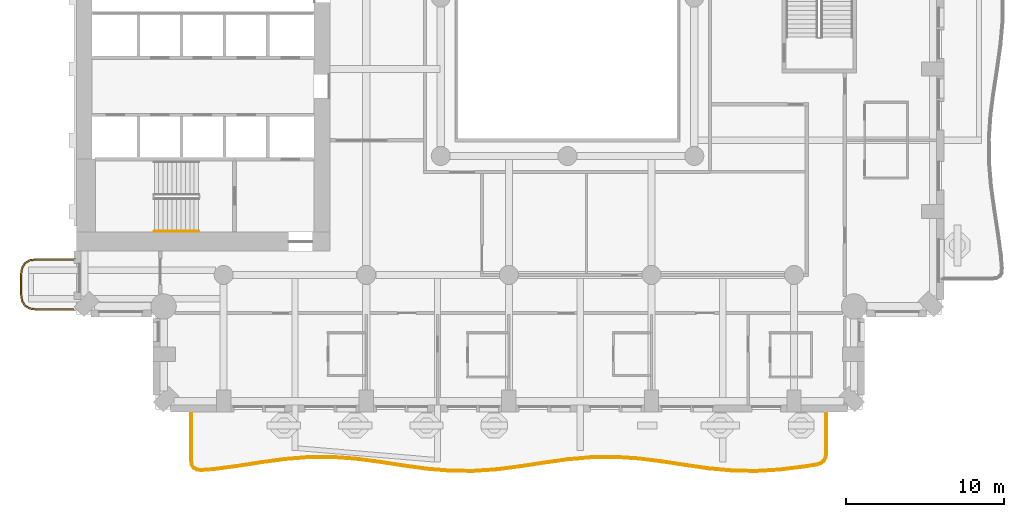
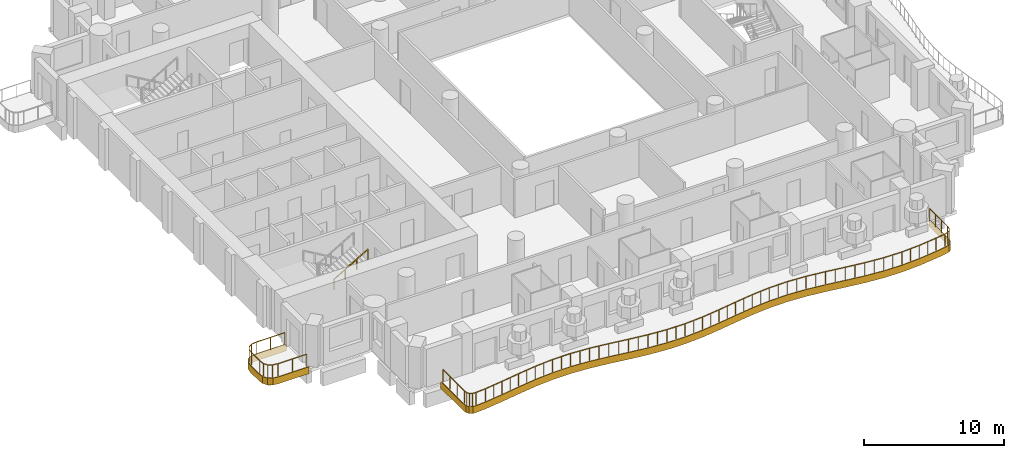
# One storey, part 12 of 19: 3 railings, 2 coverings.
"""IFC4 building model written with IfcOpenShell, lengths in metres."""

from ifc_helpers import new_model, si_unit, direction, frame, origin, origin_2d, place, context, subcontext, project, spatial, polyline, rectangle, outline, extrude, material, layer, layer_set, type_object, element, save


model = new_model("IFC4")

# Units and contexts
model_context = context("Model", 3, precision=1e-05, world=origin(), true_north=direction((0.0, 1.0)))
body_context = subcontext(model_context, "Body", "Model", "MODEL_VIEW")
ifc_project = project(units=[si_unit("LENGTHUNIT", "METRE"), si_unit("AREAUNIT", "SQUARE_METRE"), si_unit("VOLUMEUNIT", "CUBIC_METRE"), si_unit("PLANEANGLEUNIT", "RADIAN"), si_unit("MASSUNIT", "GRAM", prefix="KILO")], contexts=[model_context])

# Site, building, storey
site_placement = place(None, origin())
site = spatial("IfcSite", under=ifc_project, at=site_placement, CompositionType="ELEMENT")
building_placement = place(site_placement, origin())
building = spatial("IfcBuilding", under=site, at=building_placement, Name="Cypress Arch Tower", CompositionType="ELEMENT")
storey_placement = place(building_placement, frame((0.0, 0.0, 98.699951171875)))
storey = spatial("IfcBuildingStorey", under=building, at=storey_placement, Name="L19", CompositionType="ELEMENT", Elevation=98.699951171875)

# Coverings
ifc_material_1 = material(Name="White powder-coated aluminium fascia", Category="aluminium")
ifc_layer = layer(ifc_material_1, 0.050048828125)
ifc_layer_set = layer_set([ifc_layer], Name="Balcony fascia BF50")
covering_type = type_object("IfcCoveringType", Name="Balcony fascia BF50", PredefinedType="CLADDING", material=ifc_layer_set)
covering_1_placement = place(storey_placement, frame((0.0, 0.0, -0.599853515625)))
element("IfcCovering", 1, at=covering_1_placement, inside=storey, type_object=covering_type, Name="Balcony fascia L19-A00W1", PredefinedType="CLADDING", context=body_context, shape_type="SweptSolid", body=[
    extrude(outline(polyline([(-32.503662109375, -19.75), (-32.95458984375, -19.685546875), (-33.286376953125, -19.486328125), (-33.485595703125, -19.154541015625), (-33.550048828125, -18.70361328125), (-33.550048828125, -17.496337890625), (-33.485595703125, -17.04541015625), (-33.286376953125, -16.713623046875), (-32.95458984375, -16.514404296875), (-32.503662109375, -16.449951171875), (-30.0009765625, -16.449951171875), (-30.0009765625, -16.5), (-32.5, -16.5), (-32.9375, -16.5625), (-33.25, -16.75), (-33.4375, -17.0625), (-33.5, -17.5), (-33.5, -18.699951171875), (-33.4375, -19.137451171875), (-33.25, -19.449951171875), (-32.9375, -19.637451171875), (-32.5, -19.699951171875), (-30.0009765625, -19.699951171875), (-30.0009765625, -19.75), (-32.503662109375, -19.75)])), origin(), (0.0, 0.0, 1.0), 0.599853515625),
])
covering_2_placement = place(storey_placement, frame((0.0, 0.0, -0.599853515625)))
element("IfcCovering", 2, at=covering_2_placement, inside=storey, type_object=covering_type, Name="Balcony fascia L19-A03", PredefinedType="CLADDING", context=body_context, shape_type="SweptSolid", body=[
    extrude(outline(polyline([(17.39990234375, -28.722412109375), (17.3564453125, -29.037109375), (17.2216796875, -29.28515625), (16.9970703125, -29.4560546875), (16.692626953125, -29.546875), (15.87158203125, -29.67333984375), (14.38427734375, -29.8564453125), (12.8955078125, -29.94580078125), (11.406494140625, -29.917724609375), (9.918212890625, -29.77978515625), (8.431640625, -29.568115234375), (6.94677734375, -29.3388671875), (5.4638671875, -29.15185546875), (3.982177734375, -29.056396484375), (2.500732421875, -29.0771484375), (1.0185546875, -29.208984375), (-0.46484375, -29.4169921875), (-1.950439453125, -29.647216796875), (-3.437744140625, -29.838623046875), (-4.92626953125, -29.941162109375), (-6.415283203125, -29.92724609375), (-7.90380859375, -29.801025390625), (-9.390625, -29.595703125), (-10.875732421875, -29.365234375), (-12.35888671875, -29.170166015625), (-13.840576171875, -29.06201171875), (-15.322021484375, -29.068359375), (-16.803955078125, -29.188232421875), (-18.287353515625, -29.3896484375), (-19.7724609375, -29.620361328125), (-21.259521484375, -29.819580078125), (-22.081298828125, -29.883056640625), (-22.387939453125, -29.86279296875), (-22.6181640625, -29.7421875), (-22.756103515625, -29.52197265625), (-22.800048828125, -29.218017578125), (-22.800048828125, -26.0009765625), (-22.75, -26.0009765625), (-22.75, -29.21435546875), (-22.708251953125, -29.50439453125), (-22.5830078125, -29.7041015625), (-22.3740234375, -29.813720703125), (-22.081787109375, -29.8330078125), (-21.264892578125, -29.769775390625), (-19.779541015625, -29.571044921875), (-18.29443359375, -29.34033203125), (-16.809326171875, -29.138427734375), (-15.323974609375, -29.0185546875), (-13.8388671875, -29.011962890625), (-12.353759765625, -29.12060546875), (-10.868408203125, -29.315673828125), (-9.38330078125, -29.546142578125), (-7.898193359375, -29.751220703125), (-6.412841796875, -29.87744140625), (-4.927734375, -29.89111328125), (-3.442626953125, -29.788818359375), (-1.95751953125, -29.59765625), (-0.47216796875, -29.36767578125), (1.012939453125, -29.1591796875), (2.498046875, -29.02734375), (3.9833984375, -29.00634765625), (5.468505859375, -29.10205078125), (6.95361328125, -29.289306640625), (8.43896484375, -29.5185546875), (9.924072265625, -29.72998046875), (11.4091796875, -29.86767578125), (12.89453125, -29.895751953125), (14.379638671875, -29.806640625), (15.86474609375, -29.623779296875), (16.681640625, -29.498046875), (16.97412109375, -29.41064453125), (17.182861328125, -29.251708984375), (17.308349609375, -29.021240234375), (17.35009765625, -28.718994140625), (17.35009765625, -26.0009765625), (17.39990234375, -26.0009765625), (17.39990234375, -28.722412109375)])), origin(), (0.0, 0.0, 1.0), 0.599853515625),
])

# Railings
ifc_material_2 = material(Name="Powder-coated steel posts and rods, 100 mm clear between rods", Category="steel")
railing_type_1 = type_object("IfcRailingType", Name="Balcony guard GR1100", PredefinedType="GUARDRAIL", material=ifc_material_2)
railing_1_placement = place(storey_placement, frame((-30.14990234375, -19.64990234375, 0.0)))
element("IfcRailing", 3, at=railing_1_placement, inside=storey, type_object=railing_type_1, Name="Balcony guard L19-A00W1", PredefinedType="GUARDRAIL", context=body_context, shape_type="SweptSolid", body=[
    extrude(rectangle(XDim=0.050048828125, YDim=0.050048828125, at=origin_2d()), frame((0.0, 0.0, 1.0751953125), z_axis=(-1.0, 0.0, 0.0), x_axis=(0.0, -1.0, 0.0)), (0.0, 0.0, 1.0), 2.346435546875),
    extrude(rectangle(XDim=0.050048828125, YDim=0.050048828125, at=origin_2d()), frame((-2.346435546875, 0.0, 1.0751953125), z_axis=(-0.989960888959, 0.141341566184, 0.0), x_axis=(-0.141341566184, -0.989960888959, 0.0)), (0.0, 0.0, 1.0), 0.428466796875),
    extrude(rectangle(XDim=0.050048828125, YDim=0.050048828125, at=origin_2d()), frame((-2.7705078125, 0.060546875, 1.0751953125), z_axis=(-0.857681904839, 0.514180659021, 0.0), x_axis=(-0.514180659021, -0.857681904839, 0.0)), (0.0, 0.0, 1.0), 0.341796875),
    extrude(rectangle(XDim=0.050048828125, YDim=0.050048828125, at=origin_2d()), frame((-3.063720703125, 0.236328125, 1.0751953125), z_axis=(-0.514180659021, 0.857681904839, 0.0), x_axis=(-0.857681904839, -0.514180659021, 0.0)), (0.0, 0.0, 1.0), 0.341796875),
    extrude(rectangle(XDim=0.050048828125, YDim=0.050048828125, at=origin_2d()), frame((-3.239501953125, 0.529541015625, 1.0751953125), z_axis=(-0.141421356237, 0.989949493661, 0.0), x_axis=(-0.989949493661, -0.141421356237, 0.0)), (0.0, 0.0, 1.0), 0.42822265625),
    extrude(rectangle(XDim=0.050048828125, YDim=0.050048828125, at=origin_2d()), frame((-3.300048828125, 0.953369140625, 1.0751953125), z_axis=(0.0, 1.0, 0.0), x_axis=(-1.0, 0.0, 0.0)), (0.0, 0.0, 1.0), 1.19287109375),
    extrude(rectangle(XDim=0.050048828125, YDim=0.050048828125, at=origin_2d()), frame((-3.300048828125, 2.146240234375, 1.0751953125), z_axis=(0.141341566184, 0.989960888959, 0.0), x_axis=(-0.989960888959, 0.141341566184, 0.0)), (0.0, 0.0, 1.0), 0.428466796875),
    extrude(rectangle(XDim=0.050048828125, YDim=0.050048828125, at=origin_2d()), frame((-3.239501953125, 2.5703125, 1.0751953125), z_axis=(0.514180659021, 0.857681904839, 0.0), x_axis=(-0.857681904839, 0.514180659021, 0.0)), (0.0, 0.0, 1.0), 0.341796875),
    extrude(rectangle(XDim=0.050048828125, YDim=0.050048828125, at=origin_2d()), frame((-3.063720703125, 2.863525390625, 1.0751953125), z_axis=(0.857681904839, 0.514180659021, 0.0), x_axis=(-0.514180659021, 0.857681904839, 0.0)), (0.0, 0.0, 1.0), 0.341796875),
    extrude(rectangle(XDim=0.050048828125, YDim=0.050048828125, at=origin_2d()), frame((-2.7705078125, 3.039306640625, 1.0751953125), z_axis=(0.989960888959, 0.141341566184, 0.0), x_axis=(-0.141341566184, 0.989960888959, 0.0)), (0.0, 0.0, 1.0), 0.428466796875),
    extrude(rectangle(XDim=0.050048828125, YDim=0.050048828125, at=origin_2d()), frame((-2.346435546875, 3.099853515625, 1.0751953125), z_axis=(1.0, 0.0, 0.0), x_axis=(0.0, 1.0, 0.0)), (0.0, 0.0, 1.0), 2.346435546875),
    extrude(rectangle(XDim=0.0400390625, YDim=0.0400390625, at=origin_2d()), origin(), (0.0, 0.0, 1.0), 1.050048828125),
    extrude(rectangle(XDim=0.0400390625, YDim=0.0400390625, at=origin_2d()), frame((-1.17333984375, 0.0, 0.0)), (0.0, 0.0, 1.0), 1.050048828125),
    extrude(rectangle(XDim=0.0400390625, YDim=0.0400390625, at=origin_2d()), frame((-2.346435546875, 0.0, 0.0)), (0.0, 0.0, 1.0), 1.050048828125),
    extrude(rectangle(XDim=0.0400390625, YDim=0.0400390625, at=origin_2d()), frame((-2.7705078125, 0.060546875, 0.0)), (0.0, 0.0, 1.0), 1.050048828125),
    extrude(rectangle(XDim=0.0400390625, YDim=0.0400390625, at=origin_2d()), frame((-3.063720703125, 0.236328125, 0.0)), (0.0, 0.0, 1.0), 1.050048828125),
    extrude(rectangle(XDim=0.0400390625, YDim=0.0400390625, at=origin_2d()), frame((-3.239501953125, 0.529541015625, 0.0)), (0.0, 0.0, 1.0), 1.050048828125),
    extrude(rectangle(XDim=0.0400390625, YDim=0.0400390625, at=origin_2d()), frame((-3.300048828125, 0.953369140625, 0.0)), (0.0, 0.0, 1.0), 1.050048828125),
    extrude(rectangle(XDim=0.0400390625, YDim=0.0400390625, at=origin_2d()), frame((-3.300048828125, 2.146240234375, 0.0)), (0.0, 0.0, 1.0), 1.050048828125),
    extrude(rectangle(XDim=0.0400390625, YDim=0.0400390625, at=origin_2d()), frame((-3.239501953125, 2.5703125, 0.0)), (0.0, 0.0, 1.0), 1.050048828125),
    extrude(rectangle(XDim=0.0400390625, YDim=0.0400390625, at=origin_2d()), frame((-3.063720703125, 2.863525390625, 0.0)), (0.0, 0.0, 1.0), 1.050048828125),
    extrude(rectangle(XDim=0.0400390625, YDim=0.0400390625, at=origin_2d()), frame((-2.7705078125, 3.039306640625, 0.0)), (0.0, 0.0, 1.0), 1.050048828125),
    extrude(rectangle(XDim=0.0400390625, YDim=0.0400390625, at=origin_2d()), frame((-2.346435546875, 3.099853515625, 0.0)), (0.0, 0.0, 1.0), 1.050048828125),
    extrude(rectangle(XDim=0.0400390625, YDim=0.0400390625, at=origin_2d()), frame((-1.17333984375, 3.099853515625, 0.0)), (0.0, 0.0, 1.0), 1.050048828125),
    extrude(rectangle(XDim=0.0400390625, YDim=0.0400390625, at=origin_2d()), frame((0.0, 3.099853515625, 0.0)), (0.0, 0.0, 1.0), 1.050048828125),
])
railing_2_placement = place(storey_placement, frame((17.300048828125, -26.14990234375, 0.0)))
element("IfcRailing", 4, at=railing_2_placement, inside=storey, type_object=railing_type_1, Name="Balcony guard L19-A03", PredefinedType="GUARDRAIL", context=body_context, shape_type="SweptSolid", body=[
    extrude(rectangle(XDim=0.050048828125, YDim=0.050048828125, at=origin_2d()), frame((0.0, 0.0, 1.0751953125), z_axis=(0.0, -1.0, 0.0), x_axis=(1.0, 0.0, 0.0)), (0.0, 0.0, 1.0), 2.565673828125),
    extrude(rectangle(XDim=0.050048828125, YDim=0.050048828125, at=origin_2d()), frame((0.0, -2.565673828125, 1.0751953125), z_axis=(-0.136863311336, -0.990589942413, 0.0), x_axis=(0.990589942413, -0.136863311336, 0.0)), (0.0, 0.0, 1.0), 0.29248046875),
    extrude(rectangle(XDim=0.050048828125, YDim=0.050048828125, at=origin_2d()), frame((-0.0400390625, -2.85546875, 1.0751953125), z_axis=(-0.477935412983, -0.878394980072, 0.0), x_axis=(0.878394980072, -0.477935412983, 0.0)), (0.0, 0.0, 1.0), 0.24267578125),
    extrude(rectangle(XDim=0.050048828125, YDim=0.050048828125, at=origin_2d()), frame((-0.156005859375, -3.068603515625, 1.0751953125), z_axis=(-0.795754916062, -0.605618785676, 0.0), x_axis=(0.605618785676, -0.795754916062, 0.0)), (0.0, 0.0, 1.0), 0.24267578125),
    extrude(rectangle(XDim=0.050048828125, YDim=0.050048828125, at=origin_2d()), frame((-0.34912109375, -3.215576171875, 1.0751953125), z_axis=(-0.958147283217, -0.286275712668, 0.0), x_axis=(0.286275712668, -0.958147283217, 0.0)), (0.0, 0.0, 1.0), 0.29248046875),
    extrude(rectangle(XDim=0.050048828125, YDim=0.050048828125, at=origin_2d()), frame((-0.62939453125, -3.29931640625, 1.0751953125), z_axis=(-0.988378561373, -0.152012563359, 0.0), x_axis=(0.152012563359, -0.988378561373, 0.0)), (0.0, 0.0, 1.0), 0.822265625),
    extrude(rectangle(XDim=0.050048828125, YDim=0.050048828125, at=origin_2d()), frame((-1.442138671875, -3.42431640625, 1.0751953125), z_axis=(-0.992502474567, -0.12222453918, 0.0), x_axis=(0.12222453918, -0.992502474567, 0.0)), (0.0, 0.0, 1.0), 1.494140625),
    extrude(rectangle(XDim=0.050048828125, YDim=0.050048828125, at=origin_2d()), frame((-2.925048828125, -3.60693359375, 1.0751953125), z_axis=(-0.998206221846, -0.059869346639, 0.0), x_axis=(0.059869346639, -0.998206221846, 0.0)), (0.0, 0.0, 1.0), 1.484375),
    extrude(rectangle(XDim=0.050048828125, YDim=0.050048828125, at=origin_2d()), frame((-4.40673828125, -3.69580078125, 1.0751953125), z_axis=(-0.999823511369, 0.018786860111, 0.0), x_axis=(-0.018786860111, -0.999823511369, 0.0)), (0.0, 0.0, 1.0), 1.4814453125),
    extrude(rectangle(XDim=0.050048828125, YDim=0.050048828125, at=origin_2d()), frame((-5.887939453125, -3.66796875, 1.0751953125), z_axis=(-0.99572755851, 0.092339748878, 0.0), x_axis=(-0.092339748878, -0.99572755851, 0.0)), (0.0, 0.0, 1.0), 1.488525390625),
    extrude(rectangle(XDim=0.050048828125, YDim=0.050048828125, at=origin_2d()), frame((-7.3701171875, -3.530517578125, 1.0751953125), z_axis=(-0.990021048125, 0.140919566666, 0.0), x_axis=(-0.140919566666, -0.990021048125, 0.0)), (0.0, 0.0, 1.0), 1.49853515625),
    extrude(rectangle(XDim=0.050048828125, YDim=0.050048828125, at=origin_2d()), frame((-8.853759765625, -3.3193359375, 1.0751953125), z_axis=(-0.98827762945, 0.152667374147, 0.0), x_axis=(-0.152667374147, -0.98827762945, 0.0)), (0.0, 0.0, 1.0), 1.503173828125),
    extrude(rectangle(XDim=0.050048828125, YDim=0.050048828125, at=origin_2d()), frame((-10.33935546875, -3.08984375, 1.0751953125), z_axis=(-0.992149587983, 0.125056767368, 0.0), x_axis=(-0.125056767368, -0.992149587983, 0.0)), (0.0, 0.0, 1.0), 1.499267578125),
    extrude(rectangle(XDim=0.050048828125, YDim=0.050048828125, at=origin_2d()), frame((-11.826904296875, -2.90234375, 1.0751953125), z_axis=(-0.997929038753, 0.064324440254, 0.0), x_axis=(-0.064324440254, -0.997929038753, 0.0)), (0.0, 0.0, 1.0), 1.49169921875),
    extrude(rectangle(XDim=0.050048828125, YDim=0.050048828125, at=origin_2d()), frame((-13.3154296875, -2.806396484375, 1.0751953125), z_axis=(-0.999900600344, -0.014099270639, 0.0), x_axis=(0.014099270639, -0.999900600344, 0.0)), (0.0, 0.0, 1.0), 1.4892578125),
    extrude(rectangle(XDim=0.050048828125, YDim=0.050048828125, at=origin_2d()), frame((-14.804443359375, -2.827392578125, 1.0751953125), z_axis=(-0.996070719077, -0.088561405797, 0.0), x_axis=(0.088561405797, -0.996070719077, 0.0)), (0.0, 0.0, 1.0), 1.494140625),
    extrude(rectangle(XDim=0.050048828125, YDim=0.050048828125, at=origin_2d()), frame((-16.292724609375, -2.959716796875, 1.0751953125), z_axis=(-0.990310462127, -0.138871122275, 0.0), x_axis=(0.138871122275, -0.990310462127, 0.0)), (0.0, 0.0, 1.0), 1.50146484375),
    extrude(rectangle(XDim=0.050048828125, YDim=0.050048828125, at=origin_2d()), frame((-17.779541015625, -3.168212890625, 1.0751953125), z_axis=(-0.988217161128, -0.153058297564, 0.0), x_axis=(0.153058297564, -0.988217161128, 0.0)), (0.0, 0.0, 1.0), 1.502685546875),
    extrude(rectangle(XDim=0.050048828125, YDim=0.050048828125, at=origin_2d()), frame((-19.264404296875, -3.398193359375, 1.0751953125), z_axis=(-0.991816589579, -0.127670876222, 0.0), x_axis=(0.127670876222, -0.991816589579, 0.0)), (0.0, 0.0, 1.0), 1.495361328125),
    extrude(rectangle(XDim=0.050048828125, YDim=0.050048828125, at=origin_2d()), frame((-20.74755859375, -3.589111328125, 1.0751953125), z_axis=(-0.99763654947, -0.068711826937, 0.0), x_axis=(0.068711826937, -0.99763654947, 0.0)), (0.0, 0.0, 1.0), 1.485107421875),
    extrude(rectangle(XDim=0.050048828125, YDim=0.050048828125, at=origin_2d()), frame((-22.229248046875, -3.691162109375, 1.0751953125), z_axis=(-0.99995741789, 0.009228347957, 0.0), x_axis=(-0.009228347957, -0.99995741789, 0.0)), (0.0, 0.0, 1.0), 1.4814453125),
    extrude(rectangle(XDim=0.050048828125, YDim=0.050048828125, at=origin_2d()), frame((-23.710693359375, -3.677490234375, 1.0751953125), z_axis=(-0.996420106509, 0.08453976192, 0.0), x_axis=(-0.08453976192, -0.996420106509, 0.0)), (0.0, 0.0, 1.0), 1.4873046875),
    extrude(rectangle(XDim=0.050048828125, YDim=0.050048828125, at=origin_2d()), frame((-25.192626953125, -3.5517578125, 1.0751953125), z_axis=(-0.990578468442, 0.136946332043, 0.0), x_axis=(-0.136946332043, -0.990578468442, 0.0)), (0.0, 0.0, 1.0), 1.49755859375),
    extrude(rectangle(XDim=0.050048828125, YDim=0.050048828125, at=origin_2d()), frame((-26.676025390625, -3.3466796875, 1.0751953125), z_axis=(-0.988175600597, 0.153326391677, 0.0), x_axis=(-0.153326391677, -0.988175600597, 0.0)), (0.0, 0.0, 1.0), 1.503173828125),
    extrude(rectangle(XDim=0.050048828125, YDim=0.050048828125, at=origin_2d()), frame((-28.161376953125, -3.1162109375, 1.0751953125), z_axis=(-0.991487500745, 0.130201904234, 0.0), x_axis=(-0.130201904234, -0.991487500745, 0.0)), (0.0, 0.0, 1.0), 1.5),
    extrude(rectangle(XDim=0.050048828125, YDim=0.050048828125, at=origin_2d()), frame((-29.648681640625, -2.9208984375, 1.0751953125), z_axis=(-0.99733517527, 0.072955795993, 0.0), x_axis=(-0.072955795993, -0.99733517527, 0.0)), (0.0, 0.0, 1.0), 1.492431640625),
    extrude(rectangle(XDim=0.050048828125, YDim=0.050048828125, at=origin_2d()), frame((-31.13720703125, -2.81201171875, 1.0751953125), z_axis=(-0.999990201178, -0.00442691186, 0.0), x_axis=(0.00442691186, -0.999990201178, 0.0)), (0.0, 0.0, 1.0), 1.489013671875),
    extrude(rectangle(XDim=0.050048828125, YDim=0.050048828125, at=origin_2d()), frame((-32.626220703125, -2.818603515625, 1.0751953125), z_axis=(-0.996759939567, -0.080433965929, 0.0), x_axis=(0.080433965929, -0.996759939567, 0.0)), (0.0, 0.0, 1.0), 1.493408203125),
    extrude(rectangle(XDim=0.050048828125, YDim=0.050048828125, at=origin_2d()), frame((-34.11474609375, -2.938720703125, 1.0751953125), z_axis=(-0.99088650832, -0.134699397289, 0.0), x_axis=(0.134699397289, -0.99088650832, 0.0)), (0.0, 0.0, 1.0), 1.500732421875),
    extrude(rectangle(XDim=0.050048828125, YDim=0.050048828125, at=origin_2d()), frame((-35.601806640625, -3.140869140625, 1.0751953125), z_axis=(-0.988147152264, -0.153509626646, 0.0), x_axis=(0.153509626646, -0.988147152264, 0.0)), (0.0, 0.0, 1.0), 1.5029296875),
    extrude(rectangle(XDim=0.050048828125, YDim=0.050048828125, at=origin_2d()), frame((-37.0869140625, -3.37158203125, 1.0751953125), z_axis=(-0.991142199329, -0.132804897161, 0.0), x_axis=(0.132804897161, -0.991142199329, 0.0)), (0.0, 0.0, 1.0), 1.496337890625),
    extrude(rectangle(XDim=0.050048828125, YDim=0.050048828125, at=origin_2d()), frame((-38.570068359375, -3.5703125, 1.0751953125), z_axis=(-0.997027976103, -0.077040345718, 0.0), x_axis=(0.077040345718, -0.997027976103, 0.0)), (0.0, 0.0, 1.0), 0.814453125),
    extrude(rectangle(XDim=0.050048828125, YDim=0.050048828125, at=origin_2d()), frame((-39.382080078125, -3.633056640625, 1.0751953125), z_axis=(-0.997781279989, 0.066577153011, 0.0), x_axis=(-0.066577153011, -0.997781279989, 0.0)), (0.0, 0.0, 1.0), 0.27880859375),
    extrude(rectangle(XDim=0.050048828125, YDim=0.050048828125, at=origin_2d()), frame((-39.66015625, -3.614501953125, 1.0751953125), z_axis=(-0.886214690875, 0.463274779885, 0.0), x_axis=(-0.463274779885, -0.886214690875, 0.0)), (0.0, 0.0, 1.0), 0.2119140625),
    extrude(rectangle(XDim=0.050048828125, YDim=0.050048828125, at=origin_2d()), frame((-39.847900390625, -3.516357421875, 1.0751953125), z_axis=(-0.530517177268, 0.847674185418, 0.0), x_axis=(-0.847674185418, -0.530517177268, 0.0)), (0.0, 0.0, 1.0), 0.211669921875),
    extrude(rectangle(XDim=0.050048828125, YDim=0.050048828125, at=origin_2d()), frame((-39.960205078125, -3.3369140625, 1.0751953125), z_axis=(-0.142646432008, 0.989773709206, 0.0), x_axis=(-0.989773709206, -0.142646432008, 0.0)), (0.0, 0.0, 1.0), 0.279052734375),
    extrude(rectangle(XDim=0.050048828125, YDim=0.050048828125, at=origin_2d()), frame((-40.0, -3.060791015625, 1.0751953125), z_axis=(0.0, 1.0, 0.0), x_axis=(-1.0, 0.0, 0.0)), (0.0, 0.0, 1.0), 3.060791015625),
    extrude(rectangle(XDim=0.0400390625, YDim=0.0400390625, at=origin_2d()), origin(), (0.0, 0.0, 1.0), 1.050048828125),
    extrude(rectangle(XDim=0.0400390625, YDim=0.0400390625, at=origin_2d()), frame((0.0, -0.855224609375, 0.0)), (0.0, 0.0, 1.0), 1.050048828125),
    extrude(rectangle(XDim=0.0400390625, YDim=0.0400390625, at=origin_2d()), frame((0.0, -1.71044921875, 0.0)), (0.0, 0.0, 1.0), 1.050048828125),
    extrude(rectangle(XDim=0.0400390625, YDim=0.0400390625, at=origin_2d()), frame((0.0, -2.565673828125, 0.0)), (0.0, 0.0, 1.0), 1.050048828125),
    extrude(rectangle(XDim=0.0400390625, YDim=0.0400390625, at=origin_2d()), frame((-0.0400390625, -2.85546875, 0.0)), (0.0, 0.0, 1.0), 1.050048828125),
    extrude(rectangle(XDim=0.0400390625, YDim=0.0400390625, at=origin_2d()), frame((-0.156005859375, -3.068603515625, 0.0)), (0.0, 0.0, 1.0), 1.050048828125),
    extrude(rectangle(XDim=0.0400390625, YDim=0.0400390625, at=origin_2d()), frame((-0.34912109375, -3.215576171875, 0.0)), (0.0, 0.0, 1.0), 1.050048828125),
    extrude(rectangle(XDim=0.0400390625, YDim=0.0400390625, at=origin_2d()), frame((-0.62939453125, -3.29931640625, 0.0)), (0.0, 0.0, 1.0), 1.050048828125),
    extrude(rectangle(XDim=0.0400390625, YDim=0.0400390625, at=origin_2d()), frame((-1.442138671875, -3.42431640625, 0.0)), (0.0, 0.0, 1.0), 1.050048828125),
    extrude(rectangle(XDim=0.0400390625, YDim=0.0400390625, at=origin_2d()), frame((-2.18359375, -3.515625, 0.0)), (0.0, 0.0, 1.0), 1.050048828125),
    extrude(rectangle(XDim=0.0400390625, YDim=0.0400390625, at=origin_2d()), frame((-2.925048828125, -3.60693359375, 0.0)), (0.0, 0.0, 1.0), 1.050048828125),
    extrude(rectangle(XDim=0.0400390625, YDim=0.0400390625, at=origin_2d()), frame((-3.666015625, -3.6513671875, 0.0)), (0.0, 0.0, 1.0), 1.050048828125),
    extrude(rectangle(XDim=0.0400390625, YDim=0.0400390625, at=origin_2d()), frame((-4.40673828125, -3.69580078125, 0.0)), (0.0, 0.0, 1.0), 1.050048828125),
    extrude(rectangle(XDim=0.0400390625, YDim=0.0400390625, at=origin_2d()), frame((-5.1474609375, -3.681884765625, 0.0)), (0.0, 0.0, 1.0), 1.050048828125),
    extrude(rectangle(XDim=0.0400390625, YDim=0.0400390625, at=origin_2d()), frame((-5.887939453125, -3.66796875, 0.0)), (0.0, 0.0, 1.0), 1.050048828125),
    extrude(rectangle(XDim=0.0400390625, YDim=0.0400390625, at=origin_2d()), frame((-6.62890625, -3.59912109375, 0.0)), (0.0, 0.0, 1.0), 1.050048828125),
    extrude(rectangle(XDim=0.0400390625, YDim=0.0400390625, at=origin_2d()), frame((-7.3701171875, -3.530517578125, 0.0)), (0.0, 0.0, 1.0), 1.050048828125),
    extrude(rectangle(XDim=0.0400390625, YDim=0.0400390625, at=origin_2d()), frame((-8.11181640625, -3.4248046875, 0.0)), (0.0, 0.0, 1.0), 1.050048828125),
    extrude(rectangle(XDim=0.0400390625, YDim=0.0400390625, at=origin_2d()), frame((-8.853759765625, -3.3193359375, 0.0)), (0.0, 0.0, 1.0), 1.050048828125),
    extrude(rectangle(XDim=0.0400390625, YDim=0.0400390625, at=origin_2d()), frame((-9.5966796875, -3.20458984375, 0.0)), (0.0, 0.0, 1.0), 1.050048828125),
    extrude(rectangle(XDim=0.0400390625, YDim=0.0400390625, at=origin_2d()), frame((-10.33935546875, -3.08984375, 0.0)), (0.0, 0.0, 1.0), 1.050048828125),
    extrude(rectangle(XDim=0.0400390625, YDim=0.0400390625, at=origin_2d()), frame((-11.0830078125, -2.99609375, 0.0)), (0.0, 0.0, 1.0), 1.050048828125),
    extrude(rectangle(XDim=0.0400390625, YDim=0.0400390625, at=origin_2d()), frame((-11.826904296875, -2.90234375, 0.0)), (0.0, 0.0, 1.0), 1.050048828125),
    extrude(rectangle(XDim=0.0400390625, YDim=0.0400390625, at=origin_2d()), frame((-12.5712890625, -2.8544921875, 0.0)), (0.0, 0.0, 1.0), 1.050048828125),
    extrude(rectangle(XDim=0.0400390625, YDim=0.0400390625, at=origin_2d()), frame((-13.3154296875, -2.806396484375, 0.0)), (0.0, 0.0, 1.0), 1.050048828125),
    extrude(rectangle(XDim=0.0400390625, YDim=0.0400390625, at=origin_2d()), frame((-14.06005859375, -2.81689453125, 0.0)), (0.0, 0.0, 1.0), 1.050048828125),
    extrude(rectangle(XDim=0.0400390625, YDim=0.0400390625, at=origin_2d()), frame((-14.804443359375, -2.827392578125, 0.0)), (0.0, 0.0, 1.0), 1.050048828125),
    extrude(rectangle(XDim=0.0400390625, YDim=0.0400390625, at=origin_2d()), frame((-15.548583984375, -2.8935546875, 0.0)), (0.0, 0.0, 1.0), 1.050048828125),
    extrude(rectangle(XDim=0.0400390625, YDim=0.0400390625, at=origin_2d()), frame((-16.292724609375, -2.959716796875, 0.0)), (0.0, 0.0, 1.0), 1.050048828125),
    extrude(rectangle(XDim=0.0400390625, YDim=0.0400390625, at=origin_2d()), frame((-17.0361328125, -3.06396484375, 0.0)), (0.0, 0.0, 1.0), 1.050048828125),
    extrude(rectangle(XDim=0.0400390625, YDim=0.0400390625, at=origin_2d()), frame((-17.779541015625, -3.168212890625, 0.0)), (0.0, 0.0, 1.0), 1.050048828125),
    extrude(rectangle(XDim=0.0400390625, YDim=0.0400390625, at=origin_2d()), frame((-18.52197265625, -3.283203125, 0.0)), (0.0, 0.0, 1.0), 1.050048828125),
    extrude(rectangle(XDim=0.0400390625, YDim=0.0400390625, at=origin_2d()), frame((-19.264404296875, -3.398193359375, 0.0)), (0.0, 0.0, 1.0), 1.050048828125),
    extrude(rectangle(XDim=0.0400390625, YDim=0.0400390625, at=origin_2d()), frame((-20.005859375, -3.49365234375, 0.0)), (0.0, 0.0, 1.0), 1.050048828125),
    extrude(rectangle(XDim=0.0400390625, YDim=0.0400390625, at=origin_2d()), frame((-20.74755859375, -3.589111328125, 0.0)), (0.0, 0.0, 1.0), 1.050048828125),
    extrude(rectangle(XDim=0.0400390625, YDim=0.0400390625, at=origin_2d()), frame((-21.48828125, -3.64013671875, 0.0)), (0.0, 0.0, 1.0), 1.050048828125),
    extrude(rectangle(XDim=0.0400390625, YDim=0.0400390625, at=origin_2d()), frame((-22.229248046875, -3.691162109375, 0.0)), (0.0, 0.0, 1.0), 1.050048828125),
    extrude(rectangle(XDim=0.0400390625, YDim=0.0400390625, at=origin_2d()), frame((-22.969970703125, -3.684326171875, 0.0)), (0.0, 0.0, 1.0), 1.050048828125),
    extrude(rectangle(XDim=0.0400390625, YDim=0.0400390625, at=origin_2d()), frame((-23.710693359375, -3.677490234375, 0.0)), (0.0, 0.0, 1.0), 1.050048828125),
    extrude(rectangle(XDim=0.0400390625, YDim=0.0400390625, at=origin_2d()), frame((-24.45166015625, -3.61474609375, 0.0)), (0.0, 0.0, 1.0), 1.050048828125),
    extrude(rectangle(XDim=0.0400390625, YDim=0.0400390625, at=origin_2d()), frame((-25.192626953125, -3.5517578125, 0.0)), (0.0, 0.0, 1.0), 1.050048828125),
    extrude(rectangle(XDim=0.0400390625, YDim=0.0400390625, at=origin_2d()), frame((-25.934326171875, -3.44921875, 0.0)), (0.0, 0.0, 1.0), 1.050048828125),
    extrude(rectangle(XDim=0.0400390625, YDim=0.0400390625, at=origin_2d()), frame((-26.676025390625, -3.3466796875, 0.0)), (0.0, 0.0, 1.0), 1.050048828125),
    extrude(rectangle(XDim=0.0400390625, YDim=0.0400390625, at=origin_2d()), frame((-27.418701171875, -3.2314453125, 0.0)), (0.0, 0.0, 1.0), 1.050048828125),
    extrude(rectangle(XDim=0.0400390625, YDim=0.0400390625, at=origin_2d()), frame((-28.161376953125, -3.1162109375, 0.0)), (0.0, 0.0, 1.0), 1.050048828125),
    extrude(rectangle(XDim=0.0400390625, YDim=0.0400390625, at=origin_2d()), frame((-28.905029296875, -3.0185546875, 0.0)), (0.0, 0.0, 1.0), 1.050048828125),
    extrude(rectangle(XDim=0.0400390625, YDim=0.0400390625, at=origin_2d()), frame((-29.648681640625, -2.9208984375, 0.0)), (0.0, 0.0, 1.0), 1.050048828125),
    extrude(rectangle(XDim=0.0400390625, YDim=0.0400390625, at=origin_2d()), frame((-30.39306640625, -2.866455078125, 0.0)), (0.0, 0.0, 1.0), 1.050048828125),
    extrude(rectangle(XDim=0.0400390625, YDim=0.0400390625, at=origin_2d()), frame((-31.13720703125, -2.81201171875, 0.0)), (0.0, 0.0, 1.0), 1.050048828125),
    extrude(rectangle(XDim=0.0400390625, YDim=0.0400390625, at=origin_2d()), frame((-31.8818359375, -2.8154296875, 0.0)), (0.0, 0.0, 1.0), 1.050048828125),
    extrude(rectangle(XDim=0.0400390625, YDim=0.0400390625, at=origin_2d()), frame((-32.626220703125, -2.818603515625, 0.0)), (0.0, 0.0, 1.0), 1.050048828125),
    extrude(rectangle(XDim=0.0400390625, YDim=0.0400390625, at=origin_2d()), frame((-33.37060546875, -2.878662109375, 0.0)), (0.0, 0.0, 1.0), 1.050048828125),
    extrude(rectangle(XDim=0.0400390625, YDim=0.0400390625, at=origin_2d()), frame((-34.11474609375, -2.938720703125, 0.0)), (0.0, 0.0, 1.0), 1.050048828125),
    extrude(rectangle(XDim=0.0400390625, YDim=0.0400390625, at=origin_2d()), frame((-34.8583984375, -3.039794921875, 0.0)), (0.0, 0.0, 1.0), 1.050048828125),
    extrude(rectangle(XDim=0.0400390625, YDim=0.0400390625, at=origin_2d()), frame((-35.601806640625, -3.140869140625, 0.0)), (0.0, 0.0, 1.0), 1.050048828125),
    extrude(rectangle(XDim=0.0400390625, YDim=0.0400390625, at=origin_2d()), frame((-36.34423828125, -3.25634765625, 0.0)), (0.0, 0.0, 1.0), 1.050048828125),
    extrude(rectangle(XDim=0.0400390625, YDim=0.0400390625, at=origin_2d()), frame((-37.0869140625, -3.37158203125, 0.0)), (0.0, 0.0, 1.0), 1.050048828125),
    extrude(rectangle(XDim=0.0400390625, YDim=0.0400390625, at=origin_2d()), frame((-37.82861328125, -3.470947265625, 0.0)), (0.0, 0.0, 1.0), 1.050048828125),
    extrude(rectangle(XDim=0.0400390625, YDim=0.0400390625, at=origin_2d()), frame((-38.570068359375, -3.5703125, 0.0)), (0.0, 0.0, 1.0), 1.050048828125),
    extrude(rectangle(XDim=0.0400390625, YDim=0.0400390625, at=origin_2d()), frame((-39.382080078125, -3.633056640625, 0.0)), (0.0, 0.0, 1.0), 1.050048828125),
    extrude(rectangle(XDim=0.0400390625, YDim=0.0400390625, at=origin_2d()), frame((-39.66015625, -3.614501953125, 0.0)), (0.0, 0.0, 1.0), 1.050048828125),
    extrude(rectangle(XDim=0.0400390625, YDim=0.0400390625, at=origin_2d()), frame((-39.847900390625, -3.516357421875, 0.0)), (0.0, 0.0, 1.0), 1.050048828125),
    extrude(rectangle(XDim=0.0400390625, YDim=0.0400390625, at=origin_2d()), frame((-39.960205078125, -3.3369140625, 0.0)), (0.0, 0.0, 1.0), 1.050048828125),
    extrude(rectangle(XDim=0.0400390625, YDim=0.0400390625, at=origin_2d()), frame((-40.0, -3.060791015625, 0.0)), (0.0, 0.0, 1.0), 1.050048828125),
    extrude(rectangle(XDim=0.0400390625, YDim=0.0400390625, at=origin_2d()), frame((-40.0, -2.04052734375, 0.0)), (0.0, 0.0, 1.0), 1.050048828125),
    extrude(rectangle(XDim=0.0400390625, YDim=0.0400390625, at=origin_2d()), frame((-40.0, -1.020263671875, 0.0)), (0.0, 0.0, 1.0), 1.050048828125),
    extrude(rectangle(XDim=0.0400390625, YDim=0.0400390625, at=origin_2d()), frame((-40.0, 0.0, 0.0)), (0.0, 0.0, 1.0), 1.050048828125),
])
ifc_material_3 = material(Name="Black powder-coated steel square bar 48 mm", Category="steel")
railing_type_2 = type_object("IfcRailingType", Name="Stair handrail HR1", PredefinedType="HANDRAIL", material=ifc_material_3)
railing_3_placement = place(storey_placement, frame((-25.074951171875, -14.75, 1.963623046875)))
element("IfcRailing", 5, at=railing_3_placement, inside=storey, type_object=railing_type_2, Name="L19 A stair handrail 2", PredefinedType="HANDRAIL", context=body_context, shape_type="SweptSolid", body=[
    extrude(rectangle(XDim=0.048095703125, YDim=0.048095703125, at=origin_2d()), frame((0.0, 0.0, 0.8759765625), z_axis=(0.863360870873, 0.0, 0.504586966384), x_axis=(0.0, 1.0, 0.0)), (0.0, 0.0, 1.0), 3.2431640625),
    extrude(rectangle(XDim=0.0419921875, YDim=0.0419921875, at=origin_2d()), origin(), (0.0, 0.0, 1.0), 0.851806640625),
    extrude(rectangle(XDim=0.0419921875, YDim=0.0419921875, at=origin_2d()), frame((0.933349609375, 0.0, 0.54541015625)), (0.0, 0.0, 1.0), 0.851806640625),
    extrude(rectangle(XDim=0.0419921875, YDim=0.0419921875, at=origin_2d()), frame((1.86669921875, 0.0, 1.091064453125)), (0.0, 0.0, 1.0), 0.851806640625),
    extrude(rectangle(XDim=0.0419921875, YDim=0.0419921875, at=origin_2d()), frame((2.800048828125, 0.0, 1.636474609375)), (0.0, 0.0, 1.0), 0.851806640625),
])

save(model, "model.ifc")
